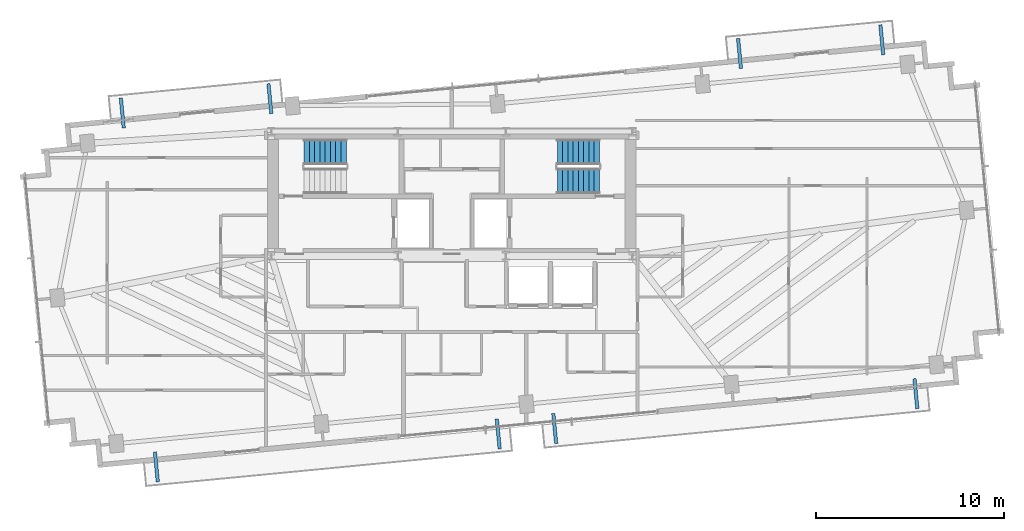
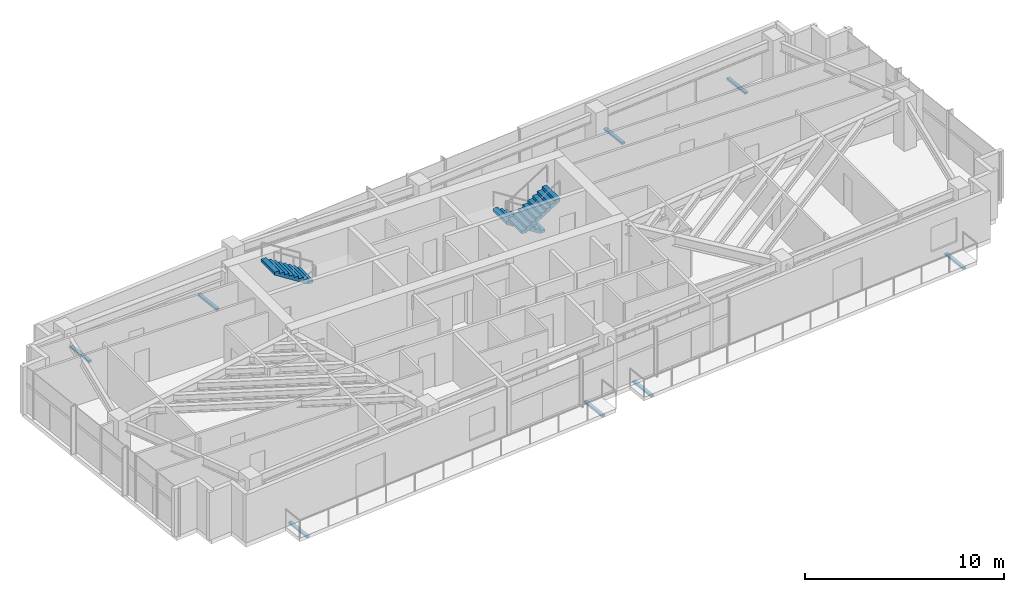
# One storey, part 16 of 18: 8 discrete accessories, 3 stair flights, 2 elements without a shape of their own.
"""IFC4 building model written with IfcOpenShell, lengths in metres."""

from ifc_helpers import new_model, si_unit, direction, frame, origin, origin_2d, place, context, subcontext, project, spatial, polyline, rectangle, outline, extrude, source, transform, mapped, material, type_object, type_shapes, element, aggregate, save


model = new_model("IFC4")

# Units and contexts
model_context = context("Model", 3, precision=1e-05, world=origin(), true_north=direction((0.0, 1.0)))
body_context = subcontext(model_context, "Body", "Model", "MODEL_VIEW")
ifc_project = project(units=[si_unit("LENGTHUNIT", "METRE"), si_unit("AREAUNIT", "SQUARE_METRE"), si_unit("VOLUMEUNIT", "CUBIC_METRE"), si_unit("PLANEANGLEUNIT", "RADIAN"), si_unit("MASSUNIT", "GRAM", prefix="KILO")], contexts=[model_context])

# Site, building, storey
site_placement = place(None, origin())
site = spatial("IfcSite", under=ifc_project, at=site_placement, CompositionType="ELEMENT")
building_placement = place(site_placement, origin())
building = spatial("IfcBuilding", under=site, at=building_placement, Name="Astriad Promenade Condominiums", CompositionType="ELEMENT")
storey_placement = place(building_placement, frame((0.0, 0.0, 195.39990234375)))
storey = spatial("IfcBuildingStorey", under=building, at=storey_placement, Name="L56", CompositionType="ELEMENT", Elevation=195.39990234375)

# Stair, stair flight
ifc_material_1 = material(Name="Concrete C50/60", Category="concrete")
stair_type = type_object("IfcStairType", Name="STR-CORE-1350", PredefinedType="HALF_TURN_STAIR", material=ifc_material_1)
stair_1_placement = place(storey_placement, origin())
stair_1 = element("IfcStair", 1, at=stair_1_placement, inside=storey, type_object=stair_type, Name="L56 Enclosed Core Exit Stair ST-1", PredefinedType="HALF_TURN_STAIR")
stair_flight_type = type_object("IfcStairFlightType", Name="SFL-CORE-1350", PredefinedType="STRAIGHT", material=ifc_material_1)
shared_shape_1 = source(origin(), body_context, "Body", "SweptSolid", [
    extrude(outline(polyline([(0.0, 0.0), (0.0, 0.177734375), (0.280029296875, 0.177734375), (0.280029296875, 0.35546875), (0.56005859375, 0.35546875), (0.56005859375, 0.533447265625), (0.840087890625, 0.533447265625), (0.840087890625, 0.711181640625), (1.1201171875, 0.711181640625), (1.1201171875, 0.888916015625), (1.39990234375, 0.888916015625), (1.39990234375, 1.066650390625), (1.679931640625, 1.066650390625), (1.679931640625, 1.244384765625), (1.9599609375, 1.244384765625), (1.9599609375, 1.422119140625), (2.239990234375, 1.422119140625), (2.239990234375, 1.60009765625), (2.239990234375, 1.24462890625), (0.27978515625, 0.0), (0.0, 0.0)])), frame((0.0, 0.675048828125, 0.0), z_axis=(0.0, -1.0, 0.0), x_axis=(1.0, 0.0, 0.0)), (0.0, 0.0, 1.0), 1.35009765625),
])
type_shapes(stair_flight_type, [shared_shape_1])
stair_flight_1_placement = place(storey_placement, frame((30.389892578125, 22.925048828125, 1.60009765625), z_axis=(0.0, 0.0, 1.0), x_axis=(-1.0, 0.0, 0.0)))
stair_flight_1 = element("IfcStairFlight", 2, at=stair_flight_1_placement, type_object=stair_flight_type, Name="ST-1 flight 2", NumberOfRisers=9, NumberOfTreads=8, PredefinedType="STRAIGHT", RiserHeight=0.177777778, TreadLength=0.28, context=body_context, shape_type="MappedRepresentation", body=[
    mapped(shared_shape_1, transform((0.0, 0.0, 0.0), scale=1.0)),
])
aggregate(stair_1, [stair_flight_1])

# Stair, stair flights
stair_2_placement = place(storey_placement, origin())
stair_2 = element("IfcStair", 3, at=stair_2_placement, inside=storey, type_object=stair_type, Name="L56 Enclosed Core Exit Stair ST-2", PredefinedType="HALF_TURN_STAIR")
stair_flight_2_placement = place(storey_placement, frame((43.85009765625, 22.925048828125, 0.0), z_axis=(0.0, 0.0, 1.0), x_axis=(-1.0, 0.0, 0.0)))
stair_flight_2 = element("IfcStairFlight", 4, at=stair_flight_2_placement, type_object=stair_flight_type, Name="ST-2 flight 1", NumberOfRisers=9, NumberOfTreads=8, PredefinedType="STRAIGHT", RiserHeight=0.177777778, TreadLength=0.28, context=body_context, shape_type="MappedRepresentation", body=[
    mapped(shared_shape_1, transform((0.0, 0.0, 0.0), scale=1.0)),
])
stair_flight_3_placement = place(storey_placement, frame((41.610107421875, 21.375, 1.60009765625), z_axis=(0.0, 0.0, 1.0), x_axis=(1.0, 0.0, 0.0)))
stair_flight_3 = element("IfcStairFlight", 5, at=stair_flight_3_placement, type_object=stair_flight_type, Name="ST-2 flight 2", NumberOfRisers=9, NumberOfTreads=8, PredefinedType="STRAIGHT", RiserHeight=0.177777778, TreadLength=0.28, context=body_context, shape_type="MappedRepresentation", body=[
    mapped(shared_shape_1, transform((0.0, 0.0, 0.0), scale=1.0)),
])
aggregate(stair_2, [stair_flight_2, stair_flight_3])

# Discrete accessories
ifc_material_2 = material(Name="Steel ASTM A572 Grade 50", Category="steel")
discrete_accessory_type = type_object("IfcDiscreteAccessoryType", Name="STEEL BALCONY OUTRIGGER BRACKET", PredefinedType="BRACKET", material=ifc_material_2)
shared_shape_2 = source(origin(), body_context, "Body", "SweptSolid", [
    extrude(rectangle(XDim=1.60009765625, YDim=0.179931640625, at=origin_2d()), origin(), (0.0, 0.0, 1.0), 0.1220703125),
])
type_shapes(discrete_accessory_type, [shared_shape_2])
for number, where, z_axis, x_axis, name in (
    (6, (20.29443359375, 6.185791015625, -0.33984375), (0.0, 0.0, 1.0), (0.09584575252, -0.995396198367, 0.0), "Balcony Outrigger Bracket BAL-L56-SW-A"),
    (7, (38.46923828125, 7.935791015625, -0.33984375), (0.0, 0.0, 1.0), (0.09584575252, -0.995396198367, 0.0), "Balcony Outrigger Bracket BAL-L56-SW-B"),
    (8, (41.471435546875, 8.22509765625, -0.33984375), (0.0, 0.0, 1.0), (0.09584575252, -0.995396198367, 0.0), "Balcony Outrigger Bracket BAL-L56-SE-A"),
    (9, (60.670654296875, 10.07373046875, -0.33984375), (0.0, 0.0, 1.0), (0.09584575252, -0.995396198367, 0.0), "Balcony Outrigger Bracket BAL-L56-SE-B"),
    (10, (18.48291015625, 24.998779296875, -0.33984375), (0.0, 0.0, 1.0), (-0.09584575252, 0.995396198367, 0.0), "Balcony Outrigger Bracket BAL-L56-NW-A"),
    (11, (26.32958984375, 25.75439453125, -0.33984375), (0.0, 0.0, 1.0), (-0.09584575252, 0.995396198367, 0.0), "Balcony Outrigger Bracket BAL-L56-NW-B"),
    (12, (51.294189453125, 28.158203125, -0.33984375), (0.0, 0.0, 1.0), (-0.09584575252, 0.995396198367, 0.0), "Balcony Outrigger Bracket BAL-L56-NE-A"),
    (13, (58.859130859375, 28.88671875, -0.33984375), (0.0, 0.0, 1.0), (-0.09584575252, 0.995396198367, 0.0), "Balcony Outrigger Bracket BAL-L56-NE-B"),
):
    element("IfcDiscreteAccessory", number, at=place(storey_placement, frame(where, z_axis=z_axis, x_axis=x_axis)), inside=storey, type_object=discrete_accessory_type, Name=name, PredefinedType="BRACKET", context=body_context, shape_type="MappedRepresentation", body=[
        mapped(shared_shape_2, transform((0.0, 0.0, 0.0), scale=1.0)),
    ])

save(model, "model.ifc")
